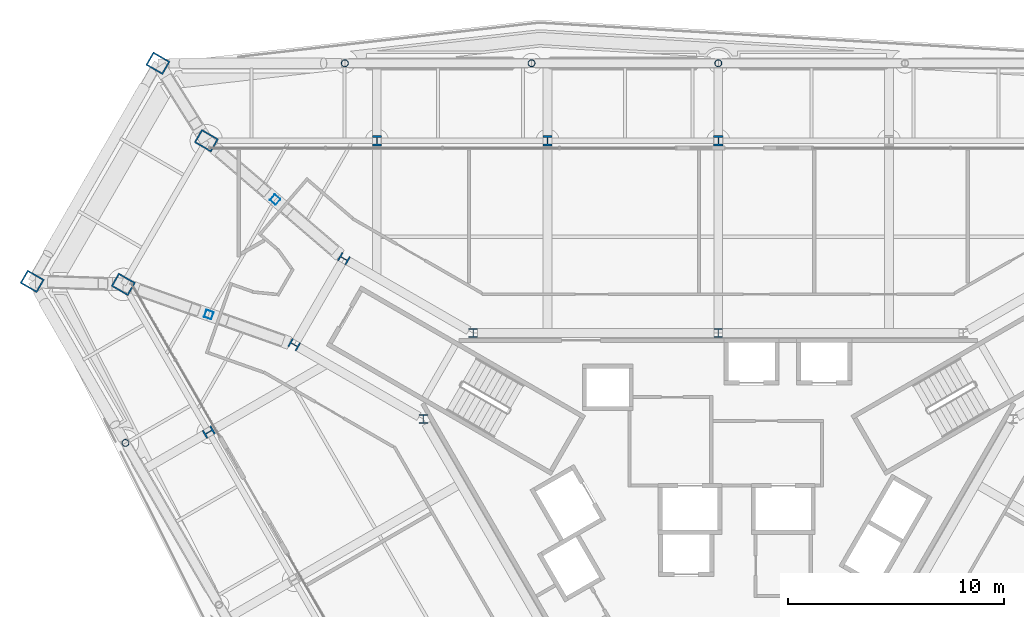
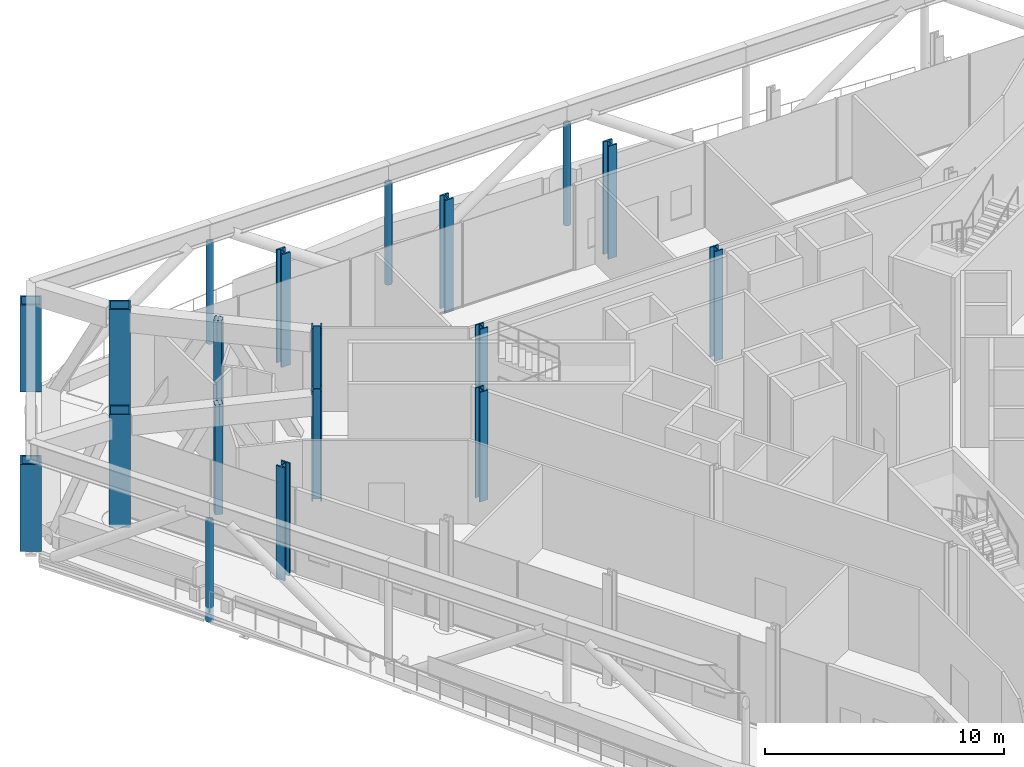
# One storey, part 3 of 26: 19 columns.
"""IFC4 building model written with IfcOpenShell, lengths in metres."""

from ifc_helpers import new_model, si_unit, direction, frame, origin, origin_2d, place, context, subcontext, project, spatial, hollow_rectangle, hollow_circle, i_section, extrude, material, material_profile, profile_set, type_object, element, save


model = new_model("IFC4")

# Units and contexts
model_context = context("Model", 3, precision=1e-05, world=origin(), true_north=direction((0.0, 1.0)))
body_context = subcontext(model_context, "Body", "Model", "MODEL_VIEW")
ifc_project = project(units=[si_unit("LENGTHUNIT", "METRE"), si_unit("AREAUNIT", "SQUARE_METRE"), si_unit("VOLUMEUNIT", "CUBIC_METRE"), si_unit("PLANEANGLEUNIT", "RADIAN"), si_unit("MASSUNIT", "GRAM", prefix="KILO")], contexts=[model_context])

# Site, building, storey
site_placement = place(None, origin())
site = spatial("IfcSite", under=ifc_project, at=site_placement, CompositionType="ELEMENT")
building_placement = place(site_placement, origin())
building = spatial("IfcBuilding", under=site, at=building_placement, Name="Verrane Prism Tower", CompositionType="ELEMENT")
storey_placement = place(building_placement, frame((0.0, 0.0, 87.199951171875)))
storey = spatial("IfcBuildingStorey", under=building, at=storey_placement, Name="L20", CompositionType="ELEMENT", Elevation=87.199951171875)

# Columns
ifc_material_1 = material(Name="Steel A500 Grade C", Category="steel")
ifc_material_profile_1 = material_profile(ifc_material_1, hollow_circle(Radius=0.16259765625, WallThickness=0.0126953125, at=origin_2d()), Name="HSS12.750x0.500")
ifc_profile_set_1 = profile_set([ifc_material_profile_1], Name="Steel A500 Grade C")
column_type_1 = type_object("IfcColumnType", Name="Belt truss post HSS12.750x0.500", PredefinedType="COLUMN", material=ifc_profile_set_1)
for number, where, z_axis, x_axis, name in (
    (1, (0.0, 21.669921875, -0.72998046875), (0.0, 0.0, 1.0), (1.0, 0.0, 0.0), "Belt truss post L20"),
    (2, (-8.6298828125, 21.669921875, -0.72998046875), (0.0, 0.0, 1.0), (1.0, 0.0, 0.0), "Belt truss post L20"),
    (3, (-17.260009765625, 21.669921875, -0.72998046875), (0.0, 0.0, 1.0), (1.0, 0.0, 0.0), "Belt truss post L20"),
    (4, (-27.39990234375, 4.1201171875, -0.72998046875), (0.0, 0.0, 1.0), (-0.5, 0.866025403784, 0.0), "Belt truss post L20"),
):
    element("IfcColumn", number, at=place(storey_placement, frame(where, z_axis=z_axis, x_axis=x_axis)), inside=storey, type_object=column_type_1, Name=name, PredefinedType="COLUMN", context=body_context, shape_type="SweptSolid", body=[
        extrude(hollow_circle(Radius=0.16259765625, WallThickness=0.0126953125, at=origin_2d()), origin(), (0.0, 0.0, 1.0), 5.169921875),
    ])
ifc_material_2 = material(Name="Steel A992", Category="steel")
ifc_material_profile_2 = material_profile(ifc_material_2, i_section(OverallWidth=0.419189453125, OverallDepth=0.45458984375, WebThickness=0.042236328125, FlangeThickness=0.067626953125, FilletRadius=0.01513671875, at=origin_2d()), Name="W14x370")
ifc_profile_set_2 = profile_set([ifc_material_profile_2], Name="Steel A992")
column_type_2 = type_object("IfcColumnType", Name="Core corner column W14x370", PredefinedType="COLUMN", material=ifc_profile_set_2)
for number, where, z_axis, x_axis, name in (
    (5, (-17.300048828125, 12.639892578125, 0.0), (0.0, 0.0, 1.0), (0.5, 0.866025403784, 0.0), "Core corner column CK-NWm L20"),
    (6, (-19.60009765625, 8.659912109375, 0.0), (0.0, 0.0, 1.0), (0.5, 0.866025403784, 0.0), "Core corner column CK-NWp L20"),
):
    element("IfcColumn", number, at=place(storey_placement, frame(where, z_axis=z_axis, x_axis=x_axis)), inside=storey, type_object=column_type_2, Name=name, PredefinedType="COLUMN", context=body_context, shape_type="SweptSolid", body=[
        extrude(i_section(OverallWidth=0.419189453125, OverallDepth=0.45458984375, WebThickness=0.042236328125, FlangeThickness=0.067626953125, FilletRadius=0.01513671875, at=origin_2d()), origin(), (0.0, 0.0, 1.0), 5.60009765625),
    ])
ifc_material_3 = material(Name="Steel A992", Category="steel")
ifc_material_profile_3 = material_profile(ifc_material_3, i_section(OverallWidth=0.406494140625, OverallDepth=0.41650390625, WebThickness=0.030029296875, FlangeThickness=0.048095703125, FilletRadius=0.01513671875, at=origin_2d()), Name="W14x257")
ifc_profile_set_3 = profile_set([ifc_material_profile_3], Name="Steel A992")
column_type_3 = type_object("IfcColumnType", Name="Core side column W14x257", PredefinedType="COLUMN", material=ifc_profile_set_3)
for number, where, z_axis, x_axis, name in (
    (7, (0.0, 9.199951171875, 0.0), (0.0, 0.0, 1.0), (1.0, 0.0, 0.0), "Core side column CC-N0 L20"),
    (8, (-11.330078125, 9.199951171875, 0.0), (0.0, 0.0, 1.0), (1.0, 0.0, 0.0), "Core side column CC-NWm L20"),
    (9, (-13.6298828125, 5.219970703125, 0.0), (0.0, 0.0, 1.0), (1.0, 0.0, 0.0), "Core side column CC-NWp L20"),
):
    element("IfcColumn", number, at=place(storey_placement, frame(where, z_axis=z_axis, x_axis=x_axis)), inside=storey, type_object=column_type_3, Name=name, PredefinedType="COLUMN", context=body_context, shape_type="SweptSolid", body=[
        extrude(i_section(OverallWidth=0.406494140625, OverallDepth=0.41650390625, WebThickness=0.030029296875, FlangeThickness=0.048095703125, FilletRadius=0.01513671875, at=origin_2d()), origin(), (0.0, 0.0, 1.0), 5.60009765625),
    ])
ifc_material_4 = material(Name="Steel A572 Grade 50", Category="steel")
ifc_material_profile_4 = material_profile(ifc_material_4, hollow_rectangle(XDim=0.699951171875, YDim=0.89990234375, WallThickness=0.06494140625, at=origin_2d()), Name="BOX 900x700x65")
ifc_profile_set_4 = profile_set([ifc_material_profile_4], Name="Steel A572 Grade 50")
column_type_4 = type_object("IfcColumnType", Name="Megacolumn BOX 900x700x65", PredefinedType="COLUMN", material=ifc_profile_set_4)
column_1_placement = place(storey_placement, frame((-25.89990234375, 21.669921875, 0.0), z_axis=(0.0, 0.0, 1.0), x_axis=(0.5, 0.866025403784, 0.0)))
element("IfcColumn", 10, at=column_1_placement, inside=storey, type_object=column_type_4, Name="Megacolumn MC-NW.a@out L20", PredefinedType="COLUMN", context=body_context, shape_type="SweptSolid", body=[
    extrude(hollow_rectangle(XDim=0.699951171875, YDim=0.89990234375, WallThickness=0.06494140625, at=origin_2d()), origin(), (0.0, 0.0, 1.0), 4.43994140625),
])
column_2_placement = place(storey_placement, frame((-23.659912109375, 18.090087890625, -0.159912109375), z_axis=(0.0, 0.0, 1.0), x_axis=(0.5, 0.866025403784, 0.0)))
element("IfcColumn", 11, at=column_2_placement, inside=storey, type_object=column_type_4, Name="Megacolumn MC-NW.a L20", PredefinedType="COLUMN", context=body_context, shape_type="SweptSolid", body=[
    extrude(hollow_rectangle(XDim=0.699951171875, YDim=0.89990234375, WallThickness=0.06494140625, at=origin_2d()), origin(), (0.0, 0.0, 1.0), 5.760009765625),
])
column_3_placement = place(storey_placement, frame((-31.7099609375, 11.590087890625, 0.0), z_axis=(0.0, 0.0, 1.0), x_axis=(0.5, 0.866025403784, 0.0)))
element("IfcColumn", 12, at=column_3_placement, inside=storey, type_object=column_type_4, Name="Megacolumn MC-NW.b@out L20", PredefinedType="COLUMN", context=body_context, shape_type="SweptSolid", body=[
    extrude(hollow_rectangle(XDim=0.699951171875, YDim=0.89990234375, WallThickness=0.06494140625, at=origin_2d()), origin(), (0.0, 0.0, 1.0), 4.43994140625),
])
column_4_placement = place(storey_placement, frame((-27.5, 11.449951171875, -0.159912109375), z_axis=(0.0, 0.0, 1.0), x_axis=(0.5, 0.866025403784, 0.0)))
element("IfcColumn", 13, at=column_4_placement, inside=storey, type_object=column_type_4, Name="Megacolumn MC-NW.b L20", PredefinedType="COLUMN", context=body_context, shape_type="SweptSolid", body=[
    extrude(hollow_rectangle(XDim=0.699951171875, YDim=0.89990234375, WallThickness=0.06494140625, at=origin_2d()), origin(), (0.0, 0.0, 1.0), 5.760009765625),
])
ifc_material_5 = material(Name="Steel A500 Grade C", Category="steel")
ifc_material_profile_5 = material_profile(ifc_material_5, hollow_rectangle(XDim=0.355712890625, YDim=0.355712890625, WallThickness=0.0126953125, InnerFilletRadius=0.00634765625, OuterFilletRadius=0.01904296875, at=origin_2d()), Name="HSS14x14x1/2")
ifc_profile_set_5 = profile_set([ifc_material_profile_5], Name="Steel A500 Grade C")
column_type_5 = type_object("IfcColumnType", Name="Outrigger truss post HSS14x14x1/2", PredefinedType="COLUMN", material=ifc_profile_set_5)
for number, where, z_axis, x_axis, name in (
    (14, (-20.47998046875, 15.364990234375, -0.159912109375), (0.0, 0.0, 1.0), (-0.650693377694, -0.759340587764, 0.0), "Outrigger truss post L20"),
    (15, (-23.550048828125, 10.054931640625, -0.159912109375), (0.0, 0.0, 1.0), (-0.333007162436, -0.942924296943, 0.0), "Outrigger truss post L20"),
):
    element("IfcColumn", number, at=place(storey_placement, frame(where, z_axis=z_axis, x_axis=x_axis)), inside=storey, type_object=column_type_5, Name=name, PredefinedType="COLUMN", context=body_context, shape_type="SweptSolid", body=[
        extrude(hollow_rectangle(XDim=0.355712890625, YDim=0.355712890625, WallThickness=0.0126953125, InnerFilletRadius=0.00634765625, OuterFilletRadius=0.01904296875, at=origin_2d()), origin(), (0.0, 0.0, 1.0), 5.599853515625),
    ])
ifc_material_6 = material(Name="Steel A992", Category="steel")
ifc_material_profile_6 = material_profile(ifc_material_6, i_section(OverallWidth=0.424072265625, OverallDepth=0.47509765625, WebThickness=0.0478515625, FlangeThickness=0.0771484375, FilletRadius=0.014892578125, at=origin_2d()), Name="W14x426")
ifc_profile_set_6 = profile_set([ifc_material_profile_6], Name="Steel A992")
column_type_6 = type_object("IfcColumnType", Name="Perimeter column W14x426", PredefinedType="COLUMN", material=ifc_profile_set_6)
for number, where, z_axis, x_axis, name in (
    (16, (0.0, 18.090087890625, -0.159912109375), (0.0, 0.0, 1.0), (1.0, 0.0, 0.0), "Perimeter column PC-N3 L20"),
    (17, (-7.889892578125, 18.090087890625, -0.159912109375), (0.0, 0.0, 1.0), (1.0, 0.0, 0.0), "Perimeter column PC-N4 L20"),
    (18, (-15.780029296875, 18.090087890625, -0.159912109375), (0.0, 0.0, 1.0), (1.0, 0.0, 0.0), "Perimeter column PC-N5 L20"),
    (19, (-23.550048828125, 4.6201171875, -0.159912109375), (0.0, 0.0, 1.0), (-0.5, 0.866025403784, 0.0), "Perimeter column PC-SW1 L20"),
):
    element("IfcColumn", number, at=place(storey_placement, frame(where, z_axis=z_axis, x_axis=x_axis)), inside=storey, type_object=column_type_6, Name=name, PredefinedType="COLUMN", context=body_context, shape_type="SweptSolid", body=[
        extrude(i_section(OverallWidth=0.424072265625, OverallDepth=0.47509765625, WebThickness=0.0478515625, FlangeThickness=0.0771484375, FilletRadius=0.014892578125, at=origin_2d()), origin(), (0.0, 0.0, 1.0), 5.760009765625),
    ])

save(model, "model.ifc")
